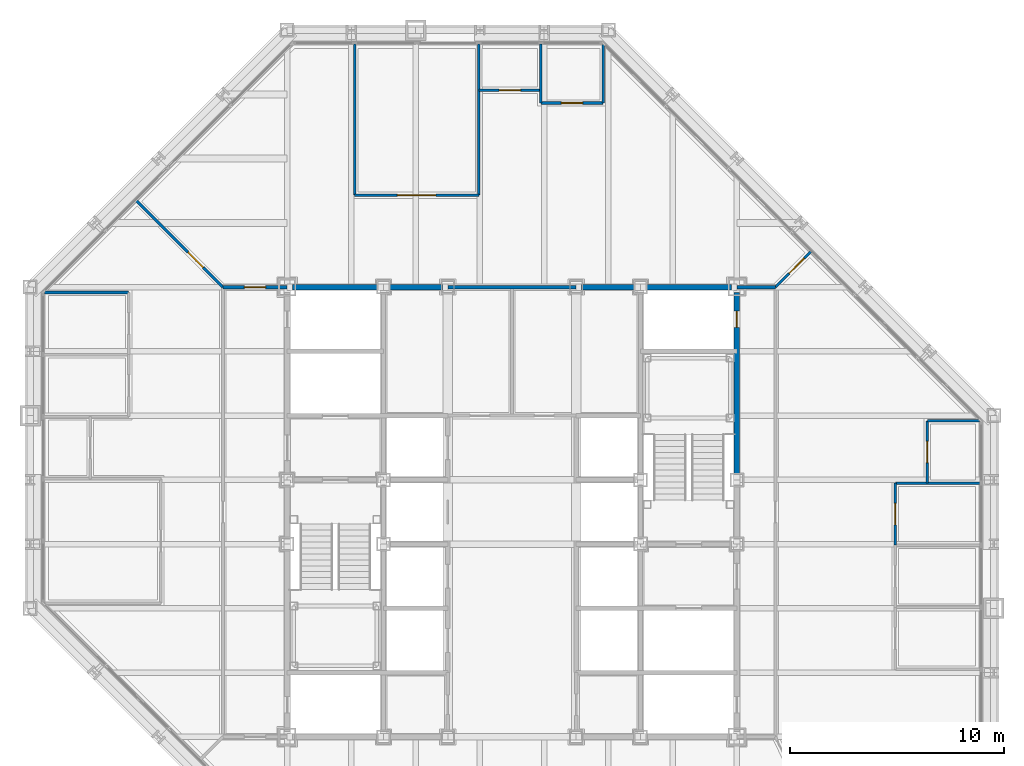
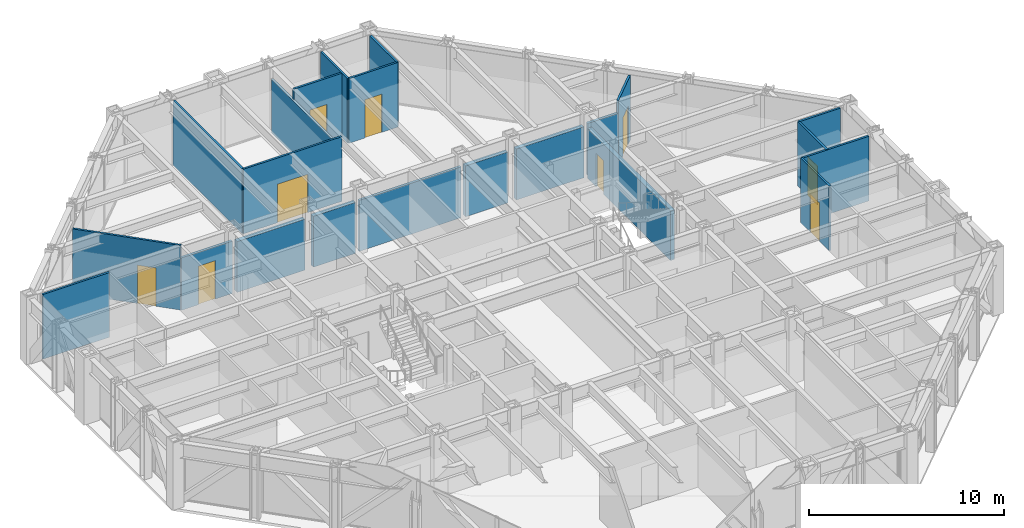
# One storey, part 13 of 16: 22 walls, 9 doors, 9 openings.
"""IFC4 building model written with IfcOpenShell, lengths in metres."""

from ifc_helpers import new_model, si_unit, direction, frame, frame_2d, origin, place, context, subcontext, project, spatial, rectangle, extrude, material, layer, layer_set, type_object, element, fill, save


model = new_model("IFC4")

# Units and contexts
model_context = context("Model", 3, precision=1e-05, world=origin(), true_north=direction((0.0, 1.0)))
body_context = subcontext(model_context, "Body", "Model", "MODEL_VIEW")
ifc_project = project(units=[si_unit("LENGTHUNIT", "METRE"), si_unit("AREAUNIT", "SQUARE_METRE"), si_unit("VOLUMEUNIT", "CUBIC_METRE"), si_unit("PLANEANGLEUNIT", "RADIAN"), si_unit("MASSUNIT", "GRAM", prefix="KILO")], contexts=[model_context])

# Site, building, storey
site_placement = place(None, origin())
site = spatial("IfcSite", under=ifc_project, at=site_placement, CompositionType="ELEMENT")
building_placement = place(site_placement, origin())
building = spatial("IfcBuilding", under=site, at=building_placement, Name="Chuquiago Exchange Tower", CompositionType="ELEMENT")
storey_placement = place(building_placement, frame((0.0, 0.0, 209.699951171875)))
storey = spatial("IfcBuildingStorey", under=building, at=storey_placement, Name="L46", CompositionType="ELEMENT", Elevation=209.699951171875)

# Walls
ifc_material_1 = material(Name="Concrete masonry, fully grouted", Category="masonry")
ifc_layer_1 = layer(ifc_material_1, 0.25)
ifc_layer_set_1 = layer_set([ifc_layer_1], Name="W1 core wall 250")
wall_type_1 = type_object("IfcWallType", Name="W1 core wall 250", PredefinedType="SOLIDWALL", material=ifc_layer_set_1)
wall_1_placement = place(storey_placement, frame((12.25, 33.0, 0.0), z_axis=(0.0, 0.0, 1.0), x_axis=(1.0, 0.0, 0.0)))
element("IfcWall", 1, at=wall_1_placement, inside=storey, type_object=wall_type_1, Name="CW-L46-11-0", PredefinedType="SOLIDWALL", context=body_context, shape_type="SweptSolid", body=[
    extrude(rectangle(XDim=4.0, YDim=0.25, at=frame_2d((2.0, 0.0))), origin(), (0.0, 0.0, 1.0), 3.181640625),
])
for number, where, z_axis, x_axis, name in (
    (2, (16.75, 33.0, 0.0), (0.0, 0.0, 1.0), (1.0, 0.0, 0.0), "CW-L46-11-1"),
    (3, (25.75, 33.0, 0.0), (0.0, 0.0, 1.0), (1.0, 0.0, 0.0), "CW-L46-12-0"),
):
    element("IfcWall", number, at=place(storey_placement, frame(where, z_axis=z_axis, x_axis=x_axis)), inside=storey, type_object=wall_type_1, Name=name, PredefinedType="SOLIDWALL", context=body_context, shape_type="SweptSolid", body=[
        extrude(rectangle(XDim=2.5, YDim=0.25, at=frame_2d((1.25, 0.0))), origin(), (0.0, 0.0, 1.0), 3.181640625),
    ])
wall_2_placement = place(storey_placement, frame((28.75, 33.0, 0.0), z_axis=(0.0, 0.0, 1.0), x_axis=(1.0, 0.0, 0.0)))
element("IfcWall", 4, at=wall_2_placement, inside=storey, type_object=wall_type_1, Name="CW-L46-12-1", PredefinedType="SOLIDWALL", context=body_context, shape_type="SweptSolid", body=[
    extrude(rectangle(XDim=4.0, YDim=0.25, at=frame_2d((2.0, 0.0))), origin(), (0.0, 0.0, 1.0), 3.181640625),
])

# Wall, opening, door
wall_3_placement = place(storey_placement, frame((33.0, 24.25, 0.0), z_axis=(0.0, 0.0, 1.0), x_axis=(0.0, 1.0, 0.0)))
wall_3 = element("IfcWall", 5, at=wall_3_placement, inside=storey, type_object=wall_type_1, Name="CW-L46-25-2", PredefinedType="SOLIDWALL", context=body_context, shape_type="SweptSolid", body=[
    extrude(rectangle(XDim=8.5, YDim=0.25, at=frame_2d((4.25, 0.0))), origin(), (0.0, 0.0, 1.0), 3.113037109375),
])
opening_1_placement = place(wall_3_placement, frame((6.875, 0.0, 0.0)))
opening_1 = element("IfcOpeningElement", 6, at=opening_1_placement, cuts=wall_3, Name="Opening L46-010", PredefinedType="OPENING", context=body_context, shape_type="SweptSolid", body=[
    extrude(rectangle(XDim=0.75, YDim=2.10009765625, at=frame_2d((0.375, 1.050048828125))), frame((0.0, 0.135009765625, 0.0), z_axis=(0.0, -1.0, 0.0), x_axis=(1.0, 0.0, 0.0)), (0.0, 0.0, 1.0), 0.27001953125),
])
ifc_material_2 = material(Name="Steel door, painted", Category="steel")
door_type_1 = type_object("IfcDoorType", Name="D6 riser access door 750x2100", OperationType="SINGLE_SWING_LEFT", PredefinedType="DOOR", material=ifc_material_2)
door_1_placement = place(opening_1_placement, frame((0.75, 0.0, 0.0), z_axis=(0.0, 0.0, 1.0), x_axis=(-1.0, 0.0, 0.0)))
door_1 = element("IfcDoor", 7, at=door_1_placement, inside=storey, type_object=door_type_1, Name="Riser RE2 door", OperationType="SINGLE_SWING_LEFT", OverallHeight=2.10009765625, OverallWidth=0.75, PredefinedType="DOOR", context=body_context, shape_type="SweptSolid", body=[
    extrude(rectangle(XDim=0.75, YDim=2.10009765625, at=frame_2d((0.375, 1.050048828125))), frame((0.0, 0.02490234375, 0.0), z_axis=(0.0, -1.0, 0.0), x_axis=(1.0, 0.0, 0.0)), (0.0, 0.0, 1.0), 0.050048828125),
])
fill(opening_1, door_1)

ifc_material_3 = material(Name="Gypsum board on steel studs, acoustic insulation", Category="steel")
ifc_layer_2 = layer(ifc_material_3, 0.14990234375)
ifc_layer_set_2 = layer_set([ifc_layer_2], Name="W11 corridor wall 150")
wall_type_2 = type_object("IfcWallType", Name="W11 corridor wall 150", PredefinedType="PARTITIONING", material=ifc_layer_set_2)
wall_4_placement = place(storey_placement, frame((9.0, 33.0, 0.0), z_axis=(0.0, 0.0, 1.0), x_axis=(1.0, 0.0, 0.0)))
wall_4 = element("IfcWall", 8, at=wall_4_placement, inside=storey, type_object=wall_type_2, Name="PW-L46-GWN0", PredefinedType="PARTITIONING", context=body_context, shape_type="SweptSolid", body=[
    extrude(rectangle(XDim=3.0, YDim=0.14990234375, at=frame_2d((1.5, 0.0))), origin(), (0.0, 0.0, 1.0), 3.2705078125),
])
opening_2_placement = place(wall_4_placement, frame((1.0, 0.0, 0.0)))
opening_2 = element("IfcOpeningElement", 9, at=opening_2_placement, cuts=wall_4, Name="Opening L46-036", PredefinedType="OPENING", context=body_context, shape_type="SweptSolid", body=[
    extrude(rectangle(XDim=1.0, YDim=2.39990234375, at=frame_2d((0.5, 1.199951171875))), frame((0.0, 0.0849609375, 0.0), z_axis=(0.0, -1.0, 0.0), x_axis=(1.0, 0.0, 0.0)), (0.0, 0.0, 1.0), 0.169921875),
])
ifc_material_4 = material(Name="Timber door, laminate faced", Category="wood")
door_type_2 = type_object("IfcDoorType", Name="D9 room door 1000x2400", OperationType="SINGLE_SWING_LEFT", PredefinedType="DOOR", material=ifc_material_4)
door_2_placement = place(opening_2_placement, origin())
door_2 = element("IfcDoor", 10, at=door_2_placement, inside=storey, type_object=door_type_2, Name="Team area door", OperationType="SINGLE_SWING_RIGHT", OverallHeight=2.39990234375, OverallWidth=1.0, PredefinedType="DOOR", context=body_context, shape_type="SweptSolid", body=[
    extrude(rectangle(XDim=1.0, YDim=2.39990234375, at=frame_2d((0.5, 1.199951171875))), frame((0.0, 0.02490234375, 0.0), z_axis=(0.0, -1.0, 0.0), x_axis=(1.0, 0.0, 0.0)), (0.0, 0.0, 1.0), 0.050048828125),
])
fill(opening_2, door_2)

# Walls
wall_5_placement = place(storey_placement, frame((33.0, 33.0, 0.0), z_axis=(0.0, 0.0, 1.0), x_axis=(1.0, 0.0, 0.0)))
element("IfcWall", 11, at=wall_5_placement, inside=storey, type_object=wall_type_2, Name="PW-L46-GEN0", PredefinedType="PARTITIONING", context=body_context, shape_type="SweptSolid", body=[
    extrude(rectangle(XDim=1.800048828125, YDim=0.14990234375, at=frame_2d((0.89990234375, 0.0))), origin(), (0.0, 0.0, 1.0), 3.2705078125),
])
ifc_material_5 = material(Name="Gypsum board on steel studs", Category="steel")
ifc_layer_3 = layer(ifc_material_5, 0.14990234375)
ifc_layer_set_3 = layer_set([ifc_layer_3], Name="W3 core partition 150")
wall_type_3 = type_object("IfcWallType", Name="W3 core partition 150", PredefinedType="PARTITIONING", material=ifc_layer_set_3)
wall_6_placement = place(storey_placement, frame((19.5, 33.0, 0.0), z_axis=(0.0, 0.0, 1.0), x_axis=(1.0, 0.0, 0.0)))
element("IfcWall", 12, at=wall_6_placement, inside=storey, type_object=wall_type_3, Name="CW-L46-TB", PredefinedType="PARTITIONING", context=body_context, shape_type="SweptSolid", body=[
    extrude(rectangle(XDim=6.0, YDim=0.14990234375, at=frame_2d((3.0, 0.0))), origin(), (0.0, 0.0, 1.0), 3.181640625),
])
ifc_material_6 = material(Name="Gypsum board on steel studs", Category="steel")
ifc_layer_4 = layer(ifc_material_6, 0.1201171875)
ifc_layer_set_4 = layer_set([ifc_layer_4], Name="W4 partition 120")
wall_type_4 = type_object("IfcWallType", Name="W4 partition 120", PredefinedType="PARTITIONING", material=ifc_layer_set_4)
wall_7_placement = place(storey_placement, frame((44.347412109375, 23.850830078125, 0.0), z_axis=(0.0, 0.0, 1.0), x_axis=(-1.0, 0.0, 0.0)))
element("IfcWall", 13, at=wall_7_placement, inside=storey, type_object=wall_type_4, Name="PW-L46-E02385", PredefinedType="PARTITIONING", context=body_context, shape_type="SweptSolid", body=[
    extrude(rectangle(XDim=3.947509765625, YDim=0.1201171875, at=frame_2d((1.9736328125, 0.0))), origin(), (0.0, 0.0, 1.0), 4.0400390625),
])
wall_8_placement = place(storey_placement, frame((44.333984375, 26.75146484375, 0.0), z_axis=(0.0, 0.0, 1.0), x_axis=(-1.0, 0.0, 0.0)))
element("IfcWall", 14, at=wall_8_placement, inside=storey, type_object=wall_type_4, Name="PW-L46-E02675", PredefinedType="PARTITIONING", context=body_context, shape_type="SweptSolid", body=[
    extrude(rectangle(XDim=2.43408203125, YDim=0.1201171875, at=frame_2d((1.217041015625, 0.0))), origin(), (0.0, 0.0, 1.0), 4.0400390625),
])

# Wall, opening, door
wall_9_placement = place(storey_placement, frame((40.39990234375, 20.9501953125, 0.0), z_axis=(0.0, 0.0, 1.0), x_axis=(0.0, 1.0, 0.0)))
wall_9 = element("IfcWall", 15, at=wall_9_placement, inside=storey, type_object=wall_type_4, Name="PW-L46-EF02095", PredefinedType="PARTITIONING", context=body_context, shape_type="SweptSolid", body=[
    extrude(rectangle(XDim=2.900634765625, YDim=0.1201171875, at=frame_2d((1.4501953125, 0.0))), origin(), (0.0, 0.0, 1.0), 4.0400390625),
])
opening_3_placement = place(wall_9_placement, frame((0.9501953125, 0.0, 0.0)))
opening_3 = element("IfcOpeningElement", 16, at=opening_3_placement, cuts=wall_9, Name="Opening L46-026", PredefinedType="OPENING", context=body_context, shape_type="SweptSolid", body=[
    extrude(rectangle(XDim=1.0, YDim=2.39990234375, at=frame_2d((0.5, 1.199951171875))), frame((0.0, 0.070068359375, 0.0), z_axis=(0.0, -1.0, 0.0), x_axis=(1.0, 0.0, 0.0)), (0.0, 0.0, 1.0), 0.14013671875),
])
door_3_placement = place(opening_3_placement, frame((1.0, 0.0, 0.0), z_axis=(0.0, 0.0, 1.0), x_axis=(-1.0, 0.0, 0.0)))
door_3 = element("IfcDoor", 17, at=door_3_placement, inside=storey, type_object=door_type_2, Name="Office door", OperationType="SINGLE_SWING_RIGHT", OverallHeight=2.39990234375, OverallWidth=1.0, PredefinedType="DOOR", context=body_context, shape_type="SweptSolid", body=[
    extrude(rectangle(XDim=1.0, YDim=2.39990234375, at=frame_2d((0.5, 1.199951171875))), frame((0.0, 0.02490234375, 0.0), z_axis=(0.0, -1.0, 0.0), x_axis=(1.0, 0.0, 0.0)), (0.0, 0.0, 1.0), 0.050048828125),
])
fill(opening_3, door_3)

wall_10_placement = place(storey_placement, frame((41.89990234375, 23.850830078125, 0.0), z_axis=(0.0, 0.0, 1.0), x_axis=(0.0, 1.0, 0.0)))
wall_10 = element("IfcWall", 18, at=wall_10_placement, inside=storey, type_object=wall_type_4, Name="PW-L46-EF02385", PredefinedType="PARTITIONING", context=body_context, shape_type="SweptSolid", body=[
    extrude(rectangle(XDim=2.900634765625, YDim=0.1201171875, at=frame_2d((1.4501953125, 0.0))), origin(), (0.0, 0.0, 1.0), 4.0400390625),
])
opening_4_placement = place(wall_10_placement, frame((0.9501953125, 0.0, 0.0)))
opening_4 = element("IfcOpeningElement", 19, at=opening_4_placement, cuts=wall_10, Name="Opening L46-027", PredefinedType="OPENING", context=body_context, shape_type="SweptSolid", body=[
    extrude(rectangle(XDim=1.0, YDim=2.39990234375, at=frame_2d((0.5, 1.199951171875))), frame((0.0, 0.070068359375, 0.0), z_axis=(0.0, -1.0, 0.0), x_axis=(1.0, 0.0, 0.0)), (0.0, 0.0, 1.0), 0.14013671875),
])
door_4_placement = place(opening_4_placement, frame((1.0, 0.0, 0.0), z_axis=(0.0, 0.0, 1.0), x_axis=(-1.0, 0.0, 0.0)))
door_4 = element("IfcDoor", 20, at=door_4_placement, inside=storey, type_object=door_type_2, Name="Store door", OperationType="SINGLE_SWING_RIGHT", OverallHeight=2.39990234375, OverallWidth=1.0, PredefinedType="DOOR", context=body_context, shape_type="SweptSolid", body=[
    extrude(rectangle(XDim=1.0, YDim=2.39990234375, at=frame_2d((0.5, 1.199951171875))), frame((0.0, 0.02490234375, 0.0), z_axis=(0.0, -1.0, 0.0), x_axis=(1.0, 0.0, 0.0)), (0.0, 0.0, 1.0), 0.050048828125),
])
fill(opening_4, door_4)

# Walls
wall_11_placement = place(storey_placement, frame((15.149169921875, 44.347412109375, 0.0), z_axis=(0.0, 0.0, 1.0), x_axis=(0.0, -1.0, 0.0)))
element("IfcWall", 21, at=wall_11_placement, inside=storey, type_object=wall_type_4, Name="PW-L46-N01515", PredefinedType="PARTITIONING", context=body_context, shape_type="SweptSolid", body=[
    extrude(rectangle(XDim=7.04736328125, YDim=0.1201171875, at=frame_2d((3.523681640625, 0.0))), origin(), (0.0, 0.0, 1.0), 4.0400390625),
])
wall_12_placement = place(storey_placement, frame((20.9501953125, 44.347412109375, 0.0), z_axis=(0.0, 0.0, 1.0), x_axis=(0.0, -1.0, 0.0)))
element("IfcWall", 22, at=wall_12_placement, inside=storey, type_object=wall_type_4, Name="PW-L46-N02095", PredefinedType="PARTITIONING", context=body_context, shape_type="SweptSolid", body=[
    extrude(rectangle(XDim=7.04736328125, YDim=0.1201171875, at=frame_2d((3.523681640625, 0.0))), origin(), (0.0, 0.0, 1.0), 3.35693359375),
])
wall_13_placement = place(storey_placement, frame((23.850830078125, 44.347412109375, 0.0), z_axis=(0.0, 0.0, 1.0), x_axis=(0.0, -1.0, 0.0)))
element("IfcWall", 23, at=wall_13_placement, inside=storey, type_object=wall_type_4, Name="PW-L46-N02385", PredefinedType="PARTITIONING", context=body_context, shape_type="SweptSolid", body=[
    extrude(rectangle(XDim=2.747314453125, YDim=0.1201171875, at=frame_2d((1.37353515625, 0.0))), origin(), (0.0, 0.0, 1.0), 4.0400390625),
])
wall_14_placement = place(storey_placement, frame((26.75146484375, 44.333984375, 0.0), z_axis=(0.0, 0.0, 1.0), x_axis=(0.0, -1.0, 0.0)))
element("IfcWall", 24, at=wall_14_placement, inside=storey, type_object=wall_type_4, Name="PW-L46-N02675", PredefinedType="PARTITIONING", context=body_context, shape_type="SweptSolid", body=[
    extrude(rectangle(XDim=2.73388671875, YDim=0.1201171875, at=frame_2d((1.366943359375, 0.0))), origin(), (0.0, 0.0, 1.0), 4.0400390625),
])

# Wall, opening, door
wall_15_placement = place(storey_placement, frame((15.149169921875, 37.300048828125, 0.0), z_axis=(0.0, 0.0, 1.0), x_axis=(1.0, 0.0, 0.0)))
wall_15 = element("IfcWall", 25, at=wall_15_placement, inside=storey, type_object=wall_type_4, Name="PW-L46-NF01515", PredefinedType="PARTITIONING", context=body_context, shape_type="SweptSolid", body=[
    extrude(rectangle(XDim=5.801025390625, YDim=0.1201171875, at=frame_2d((2.900390625, 0.0))), origin(), (0.0, 0.0, 1.0), 4.0400390625),
])
opening_5_placement = place(wall_15_placement, frame((2.00048828125, 0.0, 0.0)))
opening_5 = element("IfcOpeningElement", 26, at=opening_5_placement, cuts=wall_15, Name="Opening L46-028", PredefinedType="OPENING", context=body_context, shape_type="SweptSolid", body=[
    extrude(rectangle(XDim=1.800048828125, YDim=2.39990234375, at=frame_2d((0.89990234375, 1.199951171875))), frame((0.0, 0.070068359375, 0.0), z_axis=(0.0, -1.0, 0.0), x_axis=(1.0, 0.0, 0.0)), (0.0, 0.0, 1.0), 0.14013671875),
])
ifc_material_7 = material(Name="Timber door pair, laminate faced", Category="wood")
door_type_3 = type_object("IfcDoorType", Name="D15 double room door 1800x2400", OperationType="DOUBLE_DOOR_DOUBLE_SWING", PredefinedType="DOOR", material=ifc_material_7)
door_5_placement = place(opening_5_placement, origin())
door_5 = element("IfcDoor", 27, at=door_5_placement, inside=storey, type_object=door_type_3, Name="Media room door", OperationType="DOUBLE_DOOR_DOUBLE_SWING", OverallHeight=2.39990234375, OverallWidth=1.800048828125, PredefinedType="DOOR", context=body_context, shape_type="SweptSolid", body=[
    extrude(rectangle(XDim=1.800048828125, YDim=2.39990234375, at=frame_2d((0.89990234375, 1.199951171875))), frame((0.0, 0.02490234375, 0.0), z_axis=(0.0, -1.0, 0.0), x_axis=(1.0, 0.0, 0.0)), (0.0, 0.0, 1.0), 0.050048828125),
])
fill(opening_5, door_5)

wall_16_placement = place(storey_placement, frame((20.9501953125, 42.199951171875, 0.0), z_axis=(0.0, 0.0, 1.0), x_axis=(1.0, 0.0, 0.0)))
wall_16 = element("IfcWall", 28, at=wall_16_placement, inside=storey, type_object=wall_type_4, Name="PW-L46-NF02095", PredefinedType="PARTITIONING", context=body_context, shape_type="SweptSolid", body=[
    extrude(rectangle(XDim=2.900634765625, YDim=0.1201171875, at=frame_2d((1.4501953125, 0.0))), origin(), (0.0, 0.0, 1.0), 4.0400390625),
])
opening_6_placement = place(wall_16_placement, frame((0.9501953125, 0.0, 0.0)))
opening_6 = element("IfcOpeningElement", 29, at=opening_6_placement, cuts=wall_16, Name="Opening L46-029", PredefinedType="OPENING", context=body_context, shape_type="SweptSolid", body=[
    extrude(rectangle(XDim=1.0, YDim=2.39990234375, at=frame_2d((0.5, 1.199951171875))), frame((0.0, 0.070068359375, 0.0), z_axis=(0.0, -1.0, 0.0), x_axis=(1.0, 0.0, 0.0)), (0.0, 0.0, 1.0), 0.14013671875),
])
ifc_material_8 = material(Name="Timber frame door, full height glazed panel", Category="wood")
door_type_4 = type_object("IfcDoorType", Name="D14 glazed meeting room door 1000x2400", OperationType="SINGLE_SWING_LEFT", PredefinedType="DOOR", material=ifc_material_8)
door_6_placement = place(opening_6_placement, origin())
door_6 = element("IfcDoor", 30, at=door_6_placement, inside=storey, type_object=door_type_4, Name="Focus room door", OperationType="SINGLE_SWING_LEFT", OverallHeight=2.39990234375, OverallWidth=1.0, PredefinedType="DOOR", context=body_context, shape_type="SweptSolid", body=[
    extrude(rectangle(XDim=1.0, YDim=2.39990234375, at=frame_2d((0.5, 1.199951171875))), frame((0.0, 0.02490234375, 0.0), z_axis=(0.0, -1.0, 0.0), x_axis=(1.0, 0.0, 0.0)), (0.0, 0.0, 1.0), 0.050048828125),
])
fill(opening_6, door_6)

wall_17_placement = place(storey_placement, frame((23.850830078125, 41.60009765625, 0.0), z_axis=(0.0, 0.0, 1.0), x_axis=(1.0, 0.0, 0.0)))
wall_17 = element("IfcWall", 31, at=wall_17_placement, inside=storey, type_object=wall_type_4, Name="PW-L46-NF02385", PredefinedType="PARTITIONING", context=body_context, shape_type="SweptSolid", body=[
    extrude(rectangle(XDim=2.900634765625, YDim=0.1201171875, at=frame_2d((1.4501953125, 0.0))), origin(), (0.0, 0.0, 1.0), 4.0400390625),
])
opening_7_placement = place(wall_17_placement, frame((0.9501953125, 0.0, 0.0)))
opening_7 = element("IfcOpeningElement", 32, at=opening_7_placement, cuts=wall_17, Name="Opening L46-030", PredefinedType="OPENING", context=body_context, shape_type="SweptSolid", body=[
    extrude(rectangle(XDim=1.0, YDim=2.39990234375, at=frame_2d((0.5, 1.199951171875))), frame((0.0, 0.070068359375, 0.0), z_axis=(0.0, -1.0, 0.0), x_axis=(1.0, 0.0, 0.0)), (0.0, 0.0, 1.0), 0.14013671875),
])
door_7_placement = place(opening_7_placement, origin())
door_7 = element("IfcDoor", 33, at=door_7_placement, inside=storey, type_object=door_type_2, Name="Pantry door", OperationType="SINGLE_SWING_LEFT", OverallHeight=2.39990234375, OverallWidth=1.0, PredefinedType="DOOR", context=body_context, shape_type="SweptSolid", body=[
    extrude(rectangle(XDim=1.0, YDim=2.39990234375, at=frame_2d((0.5, 1.199951171875))), frame((0.0, 0.02490234375, 0.0), z_axis=(0.0, -1.0, 0.0), x_axis=(1.0, 0.0, 0.0)), (0.0, 0.0, 1.0), 0.050048828125),
])
fill(opening_7, door_7)

# Wall
wall_18_placement = place(storey_placement, frame((0.666015625, 32.75146484375, 0.0), z_axis=(0.0, 0.0, 1.0), x_axis=(1.0, 0.0, 0.0)))
element("IfcWall", 34, at=wall_18_placement, inside=storey, type_object=wall_type_4, Name="PW-L46-W03275", PredefinedType="PARTITIONING", context=body_context, shape_type="SweptSolid", body=[
    extrude(rectangle(XDim=3.93408203125, YDim=0.1201171875, at=frame_2d((1.967041015625, 0.0))), origin(), (0.0, 0.0, 1.0), 4.0400390625),
])

# Wall, opening, door
wall_19_placement = place(storey_placement, frame((34.800048828125, 33.0, 0.0), z_axis=(0.0, 0.0, 1.0), x_axis=(0.707106781187, 0.707106781187, 0.0)))
wall_19 = element("IfcWall", 35, at=wall_19_placement, inside=storey, type_object=wall_type_4, Name="PW-L46-QNE", PredefinedType="PARTITIONING", context=body_context, shape_type="SweptSolid", body=[
    extrude(rectangle(XDim=2.337890625, YDim=0.1201171875, at=frame_2d((1.1689453125, 0.0))), origin(), (0.0, 0.0, 1.0), 4.0400390625),
])
opening_8_placement = place(wall_19_placement, frame((0.89990234375, 0.0, 0.0)))
opening_8 = element("IfcOpeningElement", 36, at=opening_8_placement, cuts=wall_19, Name="Opening L46-039", PredefinedType="OPENING", context=body_context, shape_type="SweptSolid", body=[
    extrude(rectangle(XDim=1.0, YDim=2.39990234375, at=frame_2d((0.5, 1.199951171875))), frame((0.0, 0.070068359375, 0.0), z_axis=(0.0, -1.0, 0.0), x_axis=(1.0, 0.0, 0.0)), (0.0, 0.0, 1.0), 0.14013671875),
])
door_8_placement = place(opening_8_placement, frame((1.0, 0.0, 0.0), z_axis=(0.0, 0.0, 1.0), x_axis=(-1.0, 0.0, 0.0)))
door_8 = element("IfcDoor", 37, at=door_8_placement, inside=storey, type_object=door_type_2, Name="Team area door", OperationType="SINGLE_SWING_LEFT", OverallHeight=2.39990234375, OverallWidth=1.0, PredefinedType="DOOR", context=body_context, shape_type="SweptSolid", body=[
    extrude(rectangle(XDim=1.0, YDim=2.39990234375, at=frame_2d((0.5, 1.199951171875))), frame((0.0, 0.02490234375, 0.0), z_axis=(0.0, -1.0, 0.0), x_axis=(1.0, 0.0, 0.0)), (0.0, 0.0, 1.0), 0.050048828125),
])
fill(opening_8, door_8)

wall_20_placement = place(storey_placement, frame((9.0, 33.0, 0.0), z_axis=(0.0, 0.0, 1.0), x_axis=(-0.707106781187, 0.707106781187, 0.0)))
wall_20 = element("IfcWall", 38, at=wall_20_placement, inside=storey, type_object=wall_type_4, Name="PW-L46-QNW", PredefinedType="PARTITIONING", context=body_context, shape_type="SweptSolid", body=[
    extrude(rectangle(XDim=5.731689453125, YDim=0.1201171875, at=frame_2d((2.86572265625, 0.0))), origin(), (0.0, 0.0, 1.0), 4.0400390625),
])
opening_9_placement = place(wall_20_placement, frame((1.300048828125, 0.0, 0.0)))
opening_9 = element("IfcOpeningElement", 39, at=opening_9_placement, cuts=wall_20, Name="Opening L46-040", PredefinedType="OPENING", context=body_context, shape_type="SweptSolid", body=[
    extrude(rectangle(XDim=1.0, YDim=2.39990234375, at=frame_2d((0.5, 1.199951171875))), frame((0.0, 0.070068359375, 0.0), z_axis=(0.0, -1.0, 0.0), x_axis=(1.0, 0.0, 0.0)), (0.0, 0.0, 1.0), 0.14013671875),
])
door_9_placement = place(opening_9_placement, frame((1.0, 0.0, 0.0), z_axis=(0.0, 0.0, 1.0), x_axis=(-1.0, 0.0, 0.0)))
door_9 = element("IfcDoor", 40, at=door_9_placement, inside=storey, type_object=door_type_2, Name="Team area door", OperationType="SINGLE_SWING_RIGHT", OverallHeight=2.39990234375, OverallWidth=1.0, PredefinedType="DOOR", context=body_context, shape_type="SweptSolid", body=[
    extrude(rectangle(XDim=1.0, YDim=2.39990234375, at=frame_2d((0.5, 1.199951171875))), frame((0.0, 0.02490234375, 0.0), z_axis=(0.0, -1.0, 0.0), x_axis=(1.0, 0.0, 0.0)), (0.0, 0.0, 1.0), 0.050048828125),
])
fill(opening_9, door_9)

save(model, "model.ifc")
